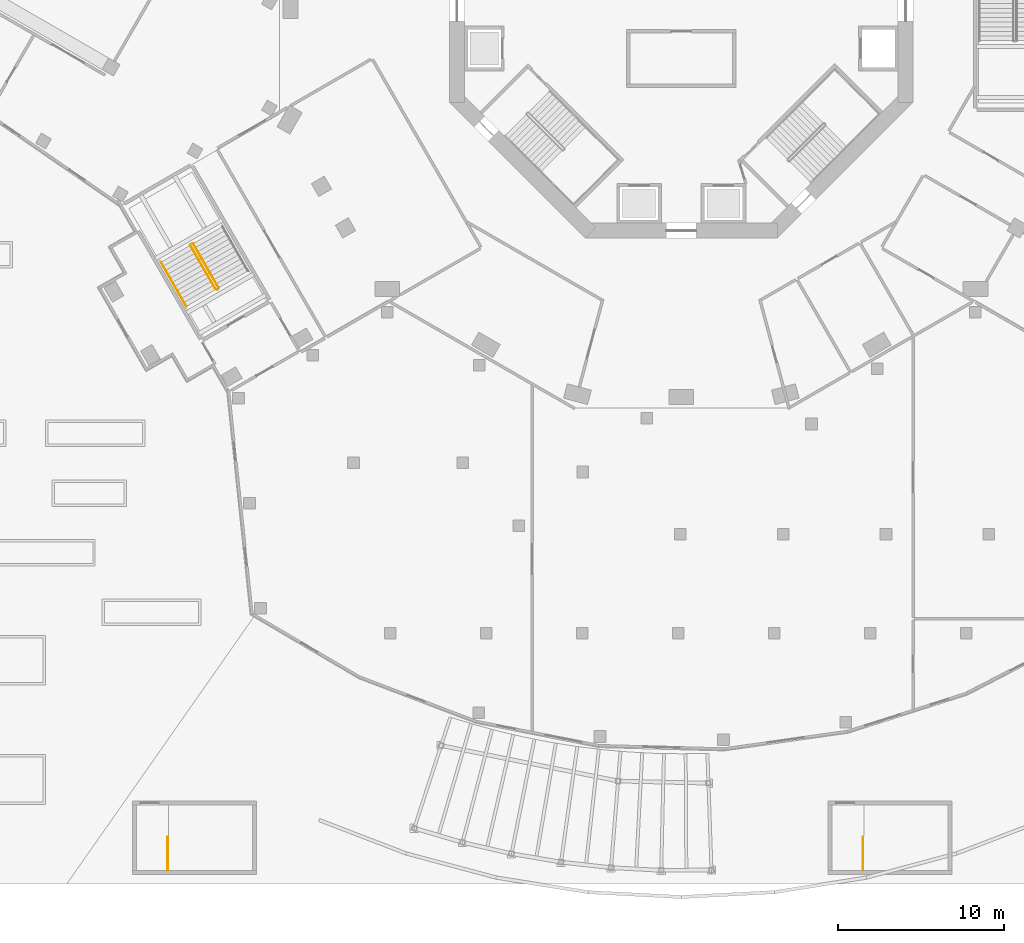
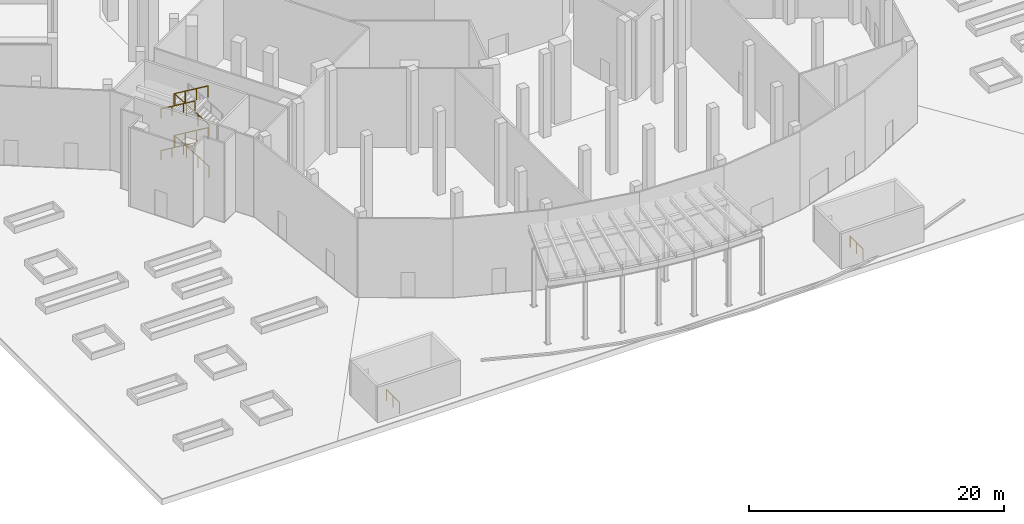
# One storey, part 23 of 30: 8 railings.
"""IFC4 building model written with IfcOpenShell, lengths in metres."""

from ifc_helpers import new_model, si_unit, direction, frame, origin, origin_2d, place, context, subcontext, project, spatial, circle, extrude, material, type_object, element, save


model = new_model("IFC4")

# Units and contexts
model_context = context("Model", 3, precision=1e-05, world=origin(), true_north=direction((0.0, 1.0)))
body_context = subcontext(model_context, "Body", "Model", "MODEL_VIEW")
ifc_project = project(units=[si_unit("LENGTHUNIT", "METRE"), si_unit("AREAUNIT", "SQUARE_METRE"), si_unit("VOLUMEUNIT", "CUBIC_METRE"), si_unit("PLANEANGLEUNIT", "RADIAN"), si_unit("MASSUNIT", "GRAM", prefix="KILO")], contexts=[model_context])

# Site, building, storey
site_placement = place(None, origin())
site = spatial("IfcSite", under=ifc_project, at=site_placement, CompositionType="ELEMENT")
building_placement = place(site_placement, origin())
building = spatial("IfcBuilding", under=site, at=building_placement, Name="Verdalira Terraces Hotel", CompositionType="ELEMENT")
storey_placement = place(building_placement, origin())
storey = spatial("IfcBuildingStorey", under=building, at=storey_placement, Name="L00", CompositionType="ELEMENT", Elevation=0.0)

# Railings
ifc_material_1 = material(Name="Stainless steel", Category="steel")
railing_type_1 = type_object("IfcRailingType", Name="Stair guard 1100", PredefinedType="GUARDRAIL", material=ifc_material_1)
railing_1_placement = place(storey_placement, frame((-27.944092, -16.999512, 0.166748)))
element("IfcRailing", 1, at=railing_1_placement, inside=storey, type_object=railing_type_1, Name="L00 PS2 stair guard 1", PredefinedType="GUARDRAIL", context=body_context, shape_type="SweptSolid", body=[
    extrude(circle(Radius=0.023926, at=origin_2d()), frame((0.0, 0.0, 1.076172), z_axis=(-0.429671194, 0.744159447, 0.511477646), x_axis=(-0.866010015, -0.500026652, 0.0)), (0.0, 0.0, 1.0), 3.584229),
    extrude(circle(Radius=0.020996, at=origin_2d()), origin(), (0.0, 0.0, 1.0), 1.052002),
    extrude(circle(Radius=0.020996, at=origin_2d()), frame((-0.513428, 0.88916, 0.611084)), (0.0, 0.0, 1.0), 1.052002),
    extrude(circle(Radius=0.020996, at=origin_2d()), frame((-1.026611, 1.778076, 1.222168)), (0.0, 0.0, 1.0), 1.052002),
    extrude(circle(Radius=0.020996, at=origin_2d()), frame((-1.540039, 2.667236, 1.833252)), (0.0, 0.0, 1.0), 1.052002),
])
railing_2_placement = place(storey_placement, frame((-29.657227, -14.432129, 2.166748)))
element("IfcRailing", 2, at=railing_2_placement, inside=storey, type_object=railing_type_1, Name="L00 PS2 stair guard 3", PredefinedType="GUARDRAIL", context=body_context, shape_type="SweptSolid", body=[
    extrude(circle(Radius=0.023926, at=origin_2d()), frame((0.0, 0.0, 1.076172), z_axis=(0.429649415, -0.74418984, 0.511451721), x_axis=(0.866029833, 0.499992329, 0.0)), (0.0, 0.0, 1.0), 3.584473),
    extrude(circle(Radius=0.020996, at=origin_2d()), origin(), (0.0, 0.0, 1.0), 1.052002),
    extrude(circle(Radius=0.020996, at=origin_2d()), frame((0.513428, -0.88916, 0.611084)), (0.0, 0.0, 1.0), 1.052002),
    extrude(circle(Radius=0.020996, at=origin_2d()), frame((1.026611, -1.77832, 1.222168)), (0.0, 0.0, 1.0), 1.052002),
    extrude(circle(Radius=0.020996, at=origin_2d()), frame((1.540039, -2.66748, 1.833252)), (0.0, 0.0, 1.0), 1.052002),
])
railing_3_placement = place(storey_placement, frame((-27.944092, -16.999512, 4.166748)))
element("IfcRailing", 3, at=railing_3_placement, inside=storey, type_object=railing_type_1, Name="L00 PS2 stair guard 5", PredefinedType="GUARDRAIL", context=body_context, shape_type="SweptSolid", body=[
    extrude(circle(Radius=0.023926, at=origin_2d()), frame((0.0, 0.0, 1.076172), z_axis=(-0.429671194, 0.744159447, 0.511477646), x_axis=(-0.866010015, -0.500026652, 0.0)), (0.0, 0.0, 1.0), 3.584229),
    extrude(circle(Radius=0.020996, at=origin_2d()), origin(), (0.0, 0.0, 1.0), 1.052002),
    extrude(circle(Radius=0.020996, at=origin_2d()), frame((-0.513428, 0.88916, 0.611084)), (0.0, 0.0, 1.0), 1.052002),
    extrude(circle(Radius=0.020996, at=origin_2d()), frame((-1.026611, 1.778076, 1.222168)), (0.0, 0.0, 1.0), 1.052002),
    extrude(circle(Radius=0.020996, at=origin_2d()), frame((-1.540039, 2.667236, 1.833252)), (0.0, 0.0, 1.0), 1.052002),
])
railing_4_placement = place(storey_placement, frame((-29.657227, -14.432129, 6.166748)))
element("IfcRailing", 4, at=railing_4_placement, inside=storey, type_object=railing_type_1, Name="L00 PS2 stair guard 7", PredefinedType="GUARDRAIL", context=body_context, shape_type="SweptSolid", body=[
    extrude(circle(Radius=0.023926, at=origin_2d()), frame((0.0, 0.0, 1.076172), z_axis=(0.429649415, -0.74418984, 0.511451721), x_axis=(0.866029833, 0.499992329, 0.0)), (0.0, 0.0, 1.0), 3.584473),
    extrude(circle(Radius=0.020996, at=origin_2d()), origin(), (0.0, 0.0, 1.0), 1.052002),
    extrude(circle(Radius=0.020996, at=origin_2d()), frame((0.513428, -0.88916, 0.611084)), (0.0, 0.0, 1.0), 1.052002),
    extrude(circle(Radius=0.020996, at=origin_2d()), frame((1.026611, -1.77832, 1.222168)), (0.0, 0.0, 1.0), 1.052002),
    extrude(circle(Radius=0.020996, at=origin_2d()), frame((1.540039, -2.66748, 1.833252)), (0.0, 0.0, 1.0), 1.052002),
])
for number, where, name in (
    (5, (-31.024902, -52.199951, 0.0), "L00 Basement stair 1 top well guard 1"),
    (6, (10.975098, -52.199951, 0.0), "L00 Basement stair 6 top well guard 1"),
):
    element("IfcRailing", number, at=place(storey_placement, frame(where)), inside=storey, type_object=railing_type_1, Name=name, PredefinedType="GUARDRAIL", context=body_context, shape_type="SweptSolid", body=[
        extrude(circle(Radius=0.023926, at=origin_2d()), frame((0.0, 0.0, 1.076172), z_axis=(0.0, 1.0, 0.0), x_axis=(-1.0, 0.0, 0.0)), (0.0, 0.0, 1.0), 2.024902),
        extrude(circle(Radius=0.020996, at=origin_2d()), origin(), (0.0, 0.0, 1.0), 1.052002),
        extrude(circle(Radius=0.020996, at=origin_2d()), frame((0.0, 1.012451, 0.0)), (0.0, 0.0, 1.0), 1.052002),
        extrude(circle(Radius=0.020996, at=origin_2d()), frame((0.0, 2.024902, 0.0)), (0.0, 0.0, 1.0), 1.052002),
    ])
ifc_material_2 = material(Name="Stainless steel", Category="steel")
railing_type_2 = type_object("IfcRailingType", Name="Stair handrail 900", PredefinedType="HANDRAIL", material=ifc_material_2)
for number, where, name in (
    (7, (-31.432617, -15.457275, 2.166748), "L00 PS2 stair handrail 2"),
    (8, (-31.432617, -15.457275, 6.166748), "L00 PS2 stair handrail 4"),
):
    element("IfcRailing", number, at=place(storey_placement, frame(where)), inside=storey, type_object=railing_type_2, Name=name, PredefinedType="HANDRAIL", context=body_context, shape_type="SweptSolid", body=[
        extrude(circle(Radius=0.023926, at=origin_2d()), frame((0.0, 0.0, 0.875977), z_axis=(0.429671194, -0.744159447, 0.511477646), x_axis=(0.866010015, 0.500026652, 0.0)), (0.0, 0.0, 1.0), 3.584229),
        extrude(circle(Radius=0.020996, at=origin_2d()), origin(), (0.0, 0.0, 1.0), 0.851807),
        extrude(circle(Radius=0.020996, at=origin_2d()), frame((0.513428, -0.88916, 0.611084)), (0.0, 0.0, 1.0), 0.851807),
        extrude(circle(Radius=0.020996, at=origin_2d()), frame((1.026611, -1.778076, 1.222168)), (0.0, 0.0, 1.0), 0.851807),
        extrude(circle(Radius=0.020996, at=origin_2d()), frame((1.540039, -2.667236, 1.833252)), (0.0, 0.0, 1.0), 0.851807),
    ])

save(model, "model.ifc")
